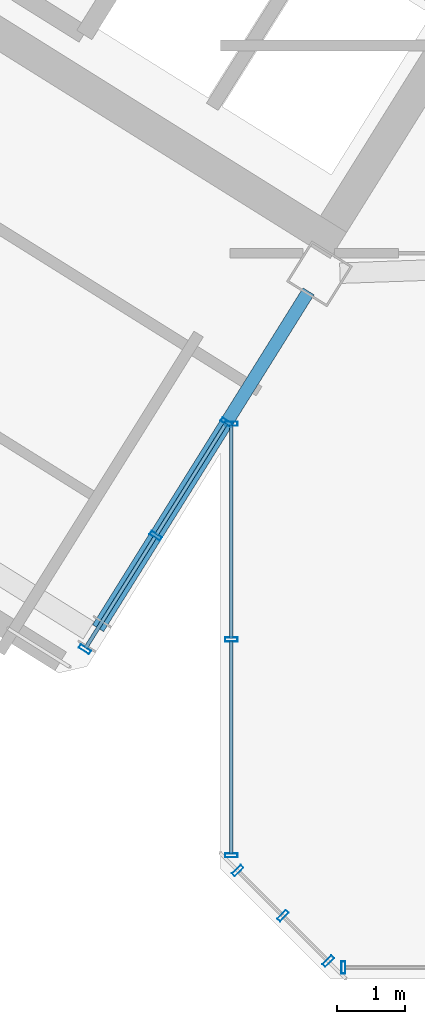
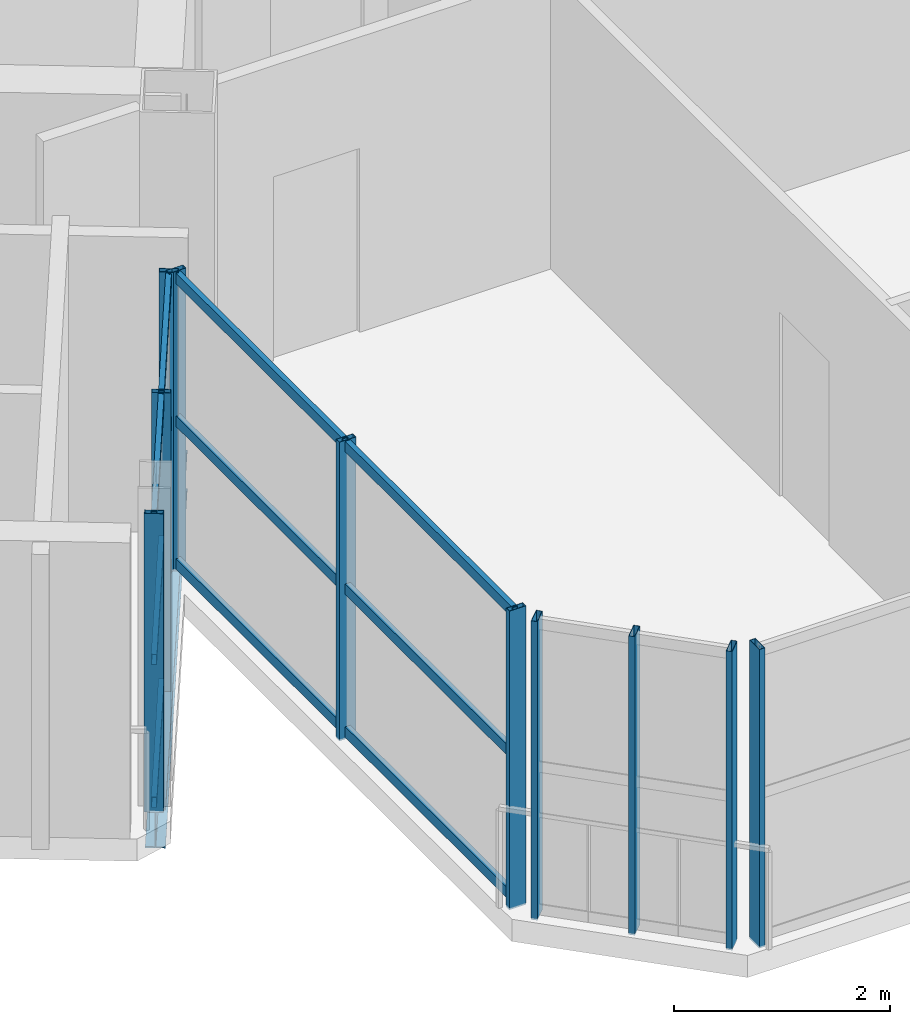
# One storey, part 6 of 25: 22 members, 1 beam, 4 elements without a shape of their own.
"""IFC4 building model written with IfcOpenShell, lengths in metres."""

from ifc_helpers import new_model, si_unit, direction, frame, origin, origin_2d, place, context, subcontext, project, spatial, hollow_rectangle, i_section, extrude, source, transform, mapped, material, material_profile, profile_set, type_object, element, aggregate, save


model = new_model("IFC4")

# Units and contexts
model_context = context("Model", 3, precision=1e-05, world=origin(), true_north=direction((0.0, 1.0)))
body_context = subcontext(model_context, "Body", "Model", "MODEL_VIEW")
ifc_project = project(units=[si_unit("LENGTHUNIT", "METRE"), si_unit("AREAUNIT", "SQUARE_METRE"), si_unit("VOLUMEUNIT", "CUBIC_METRE"), si_unit("PLANEANGLEUNIT", "RADIAN"), si_unit("MASSUNIT", "GRAM", prefix="KILO")], contexts=[model_context])

# Site, building, storey
site_placement = place(None, origin())
site = spatial("IfcSite", under=ifc_project, at=site_placement, CompositionType="ELEMENT")
building_placement = place(site_placement, origin())
building = spatial("IfcBuilding", under=site, at=building_placement, Name="Tlacorven Tower", CompositionType="ELEMENT")
storey_placement = place(building_placement, frame((0.0, 0.0, 259.199951171875)))
storey = spatial("IfcBuildingStorey", under=building, at=storey_placement, Name="L65", CompositionType="ELEMENT", Elevation=259.199951171875)

# Beam
ifc_material_1 = material(Name="Steel S355J2", Category="steel")
ifc_material_profile_1 = material_profile(ifc_material_1, i_section(OverallWidth=0.18994140625, OverallDepth=0.449951171875, WebThickness=0.009521484375, FlangeThickness=0.0146484375, at=origin_2d()), Name="IPE 450")
ifc_profile_set_1 = profile_set([ifc_material_profile_1], Name="Steel S355J2")
beam_type = type_object("IfcBeamType", Name="BM-TWR-450", PredefinedType="BEAM", material=ifc_profile_set_1)
shared_shape_1 = source(origin(), body_context, "Body", "SweptSolid", [
    extrude(i_section(OverallWidth=0.18994140625, OverallDepth=0.449951171875, WebThickness=0.009521484375, FlangeThickness=0.0146484375, at=origin_2d()), origin(), (0.0, 0.0, 1.0), 5.800048828125),
])
beam_placement = place(storey_placement, frame((32.88720703125, 11.83251953125, -0.474853515625), z_axis=(-0.529911912967, -0.848052689693, 0.0), x_axis=(0.848052689693, -0.529911912967, 0.0)))
element("IfcBeam", 1, at=beam_placement, inside=storey, type_object=beam_type, Name="L65 beam BM-L65-WT1-2", PredefinedType="BEAM", context=body_context, shape_type="MappedRepresentation", body=[
    mapped(shared_shape_1, transform((0.0, 0.0, 0.0), scale=1.0)),
])

# Curtain wall, member
ifc_material_2 = material(Name="Dark solar low-E double glazing in aluminium frame", Category="aluminium")
curtain_wall_type = type_object("IfcCurtainWallType", Name="CW-TWR-HIGH", PredefinedType="USERDEFINED", material=ifc_material_2)
curtain_wall_1_placement = place(storey_placement, origin())
curtain_wall_1 = element("IfcCurtainWall", 2, at=curtain_wall_1_placement, inside=storey, type_object=curtain_wall_type, Name="L65 CW-TWR-HIGH Curtain Wall 303", ObjectType="UNITISED CURTAIN WALL", PredefinedType="USERDEFINED")
ifc_material_3 = material(Name="Aluminium 6063-T6 anodised", Category="aluminium")
ifc_material_profile_2 = material_profile(ifc_material_3, hollow_rectangle(XDim=0.06005859375, YDim=0.179931640625, WallThickness=0.00390625, at=origin_2d()), Name="ALU MULLION 60X180")
ifc_profile_set_2 = profile_set([ifc_material_profile_2], Name="Aluminium 6063-T6 anodised")
member_type_1 = type_object("IfcMemberType", Name="CWM-03", PredefinedType="MULLION", material=ifc_profile_set_2)
shared_shape_2 = source(origin(), body_context, "Body", "SweptSolid", [
    extrude(hollow_rectangle(XDim=0.06005859375, YDim=0.179931640625, WallThickness=0.00390625, at=origin_2d()), origin(), (0.0, 0.0, 1.0), 3.380126953125),
])
member_1_placement = place(storey_placement, frame((33.396240234375, 1.9599609375, -0.02001953125), z_axis=(0.0, 0.0, 1.0), x_axis=(-1.0, 0.0, 0.0)))
member_1 = element("IfcMember", 3, at=member_1_placement, type_object=member_type_1, Name="CW-L65-303 Mullion 4", PredefinedType="MULLION", context=body_context, shape_type="MappedRepresentation", body=[
    mapped(shared_shape_2, transform((0.0, 0.0, 0.0), scale=1.0)),
])
aggregate(curtain_wall_1, [member_1])

# Curtain wall, members
curtain_wall_2_placement = place(storey_placement, origin())
curtain_wall_2 = element("IfcCurtainWall", 4, at=curtain_wall_2_placement, inside=storey, type_object=curtain_wall_type, Name="L65 CW-TWR-HIGH Curtain Wall 304", ObjectType="UNITISED CURTAIN WALL", PredefinedType="USERDEFINED")
member_2_placement = place(storey_placement, frame((33.17431640625, 2.052001953125, -0.02001953125), z_axis=(0.0, 0.0, 1.0), x_axis=(-0.707106781187, 0.707106781187, 0.0)))
member_2 = element("IfcMember", 5, at=member_2_placement, type_object=member_type_1, Name="CW-L65-304 Mullion 1", PredefinedType="MULLION", context=body_context, shape_type="MappedRepresentation", body=[
    mapped(shared_shape_2, transform((0.0, 0.0, 0.0), scale=1.0)),
])
member_3_placement = place(storey_placement, frame((32.51318359375, 2.713134765625, -0.02001953125), z_axis=(0.0, 0.0, 1.0), x_axis=(-0.707106781187, 0.707106781187, 0.0)))
member_3 = element("IfcMember", 6, at=member_3_placement, type_object=member_type_1, Name="CW-L65-304 Mullion 2", PredefinedType="MULLION", context=body_context, shape_type="MappedRepresentation", body=[
    mapped(shared_shape_2, transform((0.0, 0.0, 0.0), scale=1.0)),
])
member_4_placement = place(storey_placement, frame((31.851806640625, 3.374267578125, -0.02001953125), z_axis=(0.0, 0.0, 1.0), x_axis=(-0.707106781187, 0.707106781187, 0.0)))
member_4 = element("IfcMember", 7, at=member_4_placement, type_object=member_type_1, Name="CW-L65-304 Mullion 3", PredefinedType="MULLION", context=body_context, shape_type="MappedRepresentation", body=[
    mapped(shared_shape_2, transform((0.0, 0.0, 0.0), scale=1.0)),
])
aggregate(curtain_wall_2, [member_2, member_3, member_4])

curtain_wall_3_placement = place(storey_placement, origin())
curtain_wall_3 = element("IfcCurtainWall", 8, at=curtain_wall_3_placement, inside=storey, type_object=curtain_wall_type, Name="L65 CW-TWR-HIGH Curtain Wall 305", ObjectType="UNITISED CURTAIN WALL", PredefinedType="USERDEFINED")
member_5_placement = place(storey_placement, frame((31.760009765625, 3.59619140625, -0.02001953125), z_axis=(0.0, 0.0, 1.0), x_axis=(0.0, 1.0, 0.0)))
member_5 = element("IfcMember", 9, at=member_5_placement, type_object=member_type_1, Name="CW-L65-305 Mullion 1", PredefinedType="MULLION", context=body_context, shape_type="MappedRepresentation", body=[
    mapped(shared_shape_2, transform((0.0, 0.0, 0.0), scale=1.0)),
])
member_6_placement = place(storey_placement, frame((31.760009765625, 6.74755859375, -0.02001953125), z_axis=(0.0, 0.0, 1.0), x_axis=(0.0, 1.0, 0.0)))
member_6 = element("IfcMember", 10, at=member_6_placement, type_object=member_type_1, Name="CW-L65-305 Mullion 2", PredefinedType="MULLION", context=body_context, shape_type="MappedRepresentation", body=[
    mapped(shared_shape_2, transform((0.0, 0.0, 0.0), scale=1.0)),
])
member_7_placement = place(storey_placement, frame((31.760009765625, 9.898681640625, -0.02001953125), z_axis=(0.0, 0.0, 1.0), x_axis=(0.0, 1.0, 0.0)))
member_7 = element("IfcMember", 11, at=member_7_placement, type_object=member_type_1, Name="CW-L65-305 Mullion 3", PredefinedType="MULLION", context=body_context, shape_type="MappedRepresentation", body=[
    mapped(shared_shape_2, transform((0.0, 0.0, 0.0), scale=1.0)),
])

curtain_wall_4_placement = place(storey_placement, origin())
curtain_wall_4 = element("IfcCurtainWall", 12, at=curtain_wall_4_placement, inside=storey, type_object=curtain_wall_type, Name="L65 CW-TWR-HIGH Curtain Wall 306", ObjectType="UNITISED CURTAIN WALL", PredefinedType="USERDEFINED")
member_8_placement = place(storey_placement, frame((31.691162109375, 9.91845703125, -0.02001953125), z_axis=(0.0, 0.0, 1.0), x_axis=(-0.529918710919, -0.848048441905, 0.0)))
member_8 = element("IfcMember", 13, at=member_8_placement, type_object=member_type_1, Name="CW-L65-306 Mullion 1", PredefinedType="MULLION", context=body_context, shape_type="MappedRepresentation", body=[
    mapped(shared_shape_2, transform((0.0, 0.0, 0.0), scale=1.0)),
])
member_9_placement = place(storey_placement, frame((30.656005859375, 8.261962890625, -0.02001953125), z_axis=(0.0, 0.0, 1.0), x_axis=(-0.529918710919, -0.848048441905, 0.0)))
member_9 = element("IfcMember", 14, at=member_9_placement, type_object=member_type_1, Name="CW-L65-306 Mullion 2", PredefinedType="MULLION", context=body_context, shape_type="MappedRepresentation", body=[
    mapped(shared_shape_2, transform((0.0, 0.0, 0.0), scale=1.0)),
])
member_10_placement = place(storey_placement, frame((29.620849609375, 6.605224609375, -0.02001953125), z_axis=(0.0, 0.0, 1.0), x_axis=(-0.529918710919, -0.848048441905, 0.0)))
member_10 = element("IfcMember", 15, at=member_10_placement, type_object=member_type_1, Name="CW-L65-306 Mullion 3", PredefinedType="MULLION", context=body_context, shape_type="MappedRepresentation", body=[
    mapped(shared_shape_2, transform((0.0, 0.0, 0.0), scale=1.0)),
])

# Member
ifc_material_profile_3 = material_profile(ifc_material_3, hollow_rectangle(XDim=0.054931640625, YDim=0.1201171875, WallThickness=0.00341796875, at=origin_2d()), Name="ALU TRANSOM 55X120")
ifc_profile_set_3 = profile_set([ifc_material_profile_3], Name="Aluminium 6063-T6 anodised")
member_type_2 = type_object("IfcMemberType", Name="CWT-03", PredefinedType="USERDEFINED", material=ifc_profile_set_3)
shared_shape_3 = source(origin(), body_context, "Body", "SweptSolid", [
    extrude(hollow_rectangle(XDim=0.054931640625, YDim=0.1201171875, WallThickness=0.00341796875, at=origin_2d()), origin(), (0.0, 0.0, 1.0), 3.115234375),
])
member_11_placement = place(storey_placement, frame((31.760009765625, 3.6142578125, 0.06005859375), z_axis=(0.0, 1.0, 0.0), x_axis=(-1.0, 0.0, 0.0)))
member_11 = element("IfcMember", 16, at=member_11_placement, type_object=member_type_2, Name="CW-L65-305 Transom 1", ObjectType="TRANSOM", PredefinedType="USERDEFINED", context=body_context, shape_type="MappedRepresentation", body=[
    mapped(shared_shape_3, transform((0.0, 0.0, 0.0), scale=1.0)),
])

member_12_placement = place(storey_placement, frame((31.760009765625, 3.6142578125, 1.675048828125), z_axis=(0.0, 1.0, 0.0), x_axis=(-1.0, 0.0, 0.0)))
member_12 = element("IfcMember", 17, at=member_12_placement, type_object=member_type_2, Name="CW-L65-305 Transom 2", ObjectType="TRANSOM", PredefinedType="USERDEFINED", context=body_context, shape_type="MappedRepresentation", body=[
    mapped(shared_shape_3, transform((0.0, 0.0, 0.0), scale=1.0)),
])

member_13_placement = place(storey_placement, frame((31.760009765625, 3.6142578125, 3.2900390625), z_axis=(0.0, 1.0, 0.0), x_axis=(-1.0, 0.0, 0.0)))
member_13 = element("IfcMember", 18, at=member_13_placement, type_object=member_type_2, Name="CW-L65-305 Transom 3", ObjectType="TRANSOM", PredefinedType="USERDEFINED", context=body_context, shape_type="MappedRepresentation", body=[
    mapped(shared_shape_3, transform((0.0, 0.0, 0.0), scale=1.0)),
])

member_14_placement = place(storey_placement, frame((31.760009765625, 6.765380859375, 0.06005859375), z_axis=(0.0, 1.0, 0.0), x_axis=(-1.0, 0.0, 0.0)))
member_14 = element("IfcMember", 19, at=member_14_placement, type_object=member_type_2, Name="CW-L65-305 Transom 4", ObjectType="TRANSOM", PredefinedType="USERDEFINED", context=body_context, shape_type="MappedRepresentation", body=[
    mapped(shared_shape_3, transform((0.0, 0.0, 0.0), scale=1.0)),
])

member_15_placement = place(storey_placement, frame((31.760009765625, 6.765380859375, 1.675048828125), z_axis=(0.0, 1.0, 0.0), x_axis=(-1.0, 0.0, 0.0)))
member_15 = element("IfcMember", 20, at=member_15_placement, type_object=member_type_2, Name="CW-L65-305 Transom 5", ObjectType="TRANSOM", PredefinedType="USERDEFINED", context=body_context, shape_type="MappedRepresentation", body=[
    mapped(shared_shape_3, transform((0.0, 0.0, 0.0), scale=1.0)),
])

member_16_placement = place(storey_placement, frame((31.760009765625, 6.765380859375, 3.2900390625), z_axis=(0.0, 1.0, 0.0), x_axis=(-1.0, 0.0, 0.0)))
member_16 = element("IfcMember", 21, at=member_16_placement, type_object=member_type_2, Name="CW-L65-305 Transom 6", ObjectType="TRANSOM", PredefinedType="USERDEFINED", context=body_context, shape_type="MappedRepresentation", body=[
    mapped(shared_shape_3, transform((0.0, 0.0, 0.0), scale=1.0)),
])

aggregate(curtain_wall_3, [member_5, member_6, member_7, member_11, member_12, member_13, member_14, member_15, member_16])

shared_shape_4 = source(origin(), body_context, "Body", "SweptSolid", [
    extrude(hollow_rectangle(XDim=0.054931640625, YDim=0.1201171875, WallThickness=0.00341796875, at=origin_2d()), origin(), (0.0, 0.0, 1.0), 1.91748046875),
])
member_17_placement = place(storey_placement, frame((31.681640625, 9.903076171875, 0.06005859375), z_axis=(-0.529953157166, -0.84802691656, 0.0), x_axis=(0.84802691656, -0.529953157166, 0.0)))
member_17 = element("IfcMember", 22, at=member_17_placement, type_object=member_type_2, Name="CW-L65-306 Transom 1", ObjectType="TRANSOM", PredefinedType="USERDEFINED", context=body_context, shape_type="MappedRepresentation", body=[
    mapped(shared_shape_4, transform((0.0, 0.0, 0.0), scale=1.0)),
])

member_18_placement = place(storey_placement, frame((31.681640625, 9.903076171875, 1.675048828125), z_axis=(-0.529953157166, -0.84802691656, 0.0), x_axis=(0.84802691656, -0.529953157166, 0.0)))
member_18 = element("IfcMember", 23, at=member_18_placement, type_object=member_type_2, Name="CW-L65-306 Transom 2", ObjectType="TRANSOM", PredefinedType="USERDEFINED", context=body_context, shape_type="MappedRepresentation", body=[
    mapped(shared_shape_4, transform((0.0, 0.0, 0.0), scale=1.0)),
])

member_19_placement = place(storey_placement, frame((31.681640625, 9.903076171875, 3.2900390625), z_axis=(-0.529953157166, -0.84802691656, 0.0), x_axis=(0.84802691656, -0.529953157166, 0.0)))
member_19 = element("IfcMember", 24, at=member_19_placement, type_object=member_type_2, Name="CW-L65-306 Transom 3", ObjectType="TRANSOM", PredefinedType="USERDEFINED", context=body_context, shape_type="MappedRepresentation", body=[
    mapped(shared_shape_4, transform((0.0, 0.0, 0.0), scale=1.0)),
])

member_20_placement = place(storey_placement, frame((30.646484375, 8.24658203125, 0.06005859375), z_axis=(-0.529953157166, -0.84802691656, 0.0), x_axis=(0.84802691656, -0.529953157166, 0.0)))
member_20 = element("IfcMember", 25, at=member_20_placement, type_object=member_type_2, Name="CW-L65-306 Transom 4", ObjectType="TRANSOM", PredefinedType="USERDEFINED", context=body_context, shape_type="MappedRepresentation", body=[
    mapped(shared_shape_4, transform((0.0, 0.0, 0.0), scale=1.0)),
])

member_21_placement = place(storey_placement, frame((30.646484375, 8.24658203125, 1.675048828125), z_axis=(-0.529953157166, -0.84802691656, 0.0), x_axis=(0.84802691656, -0.529953157166, 0.0)))
member_21 = element("IfcMember", 26, at=member_21_placement, type_object=member_type_2, Name="CW-L65-306 Transom 5", ObjectType="TRANSOM", PredefinedType="USERDEFINED", context=body_context, shape_type="MappedRepresentation", body=[
    mapped(shared_shape_4, transform((0.0, 0.0, 0.0), scale=1.0)),
])

member_22_placement = place(storey_placement, frame((30.646484375, 8.24658203125, 3.2900390625), z_axis=(-0.529953157166, -0.84802691656, 0.0), x_axis=(0.84802691656, -0.529953157166, 0.0)))
member_22 = element("IfcMember", 27, at=member_22_placement, type_object=member_type_2, Name="CW-L65-306 Transom 6", ObjectType="TRANSOM", PredefinedType="USERDEFINED", context=body_context, shape_type="MappedRepresentation", body=[
    mapped(shared_shape_4, transform((0.0, 0.0, 0.0), scale=1.0)),
])

aggregate(curtain_wall_4, [member_8, member_9, member_10, member_17, member_18, member_19, member_20, member_21, member_22])

save(model, "model.ifc")
